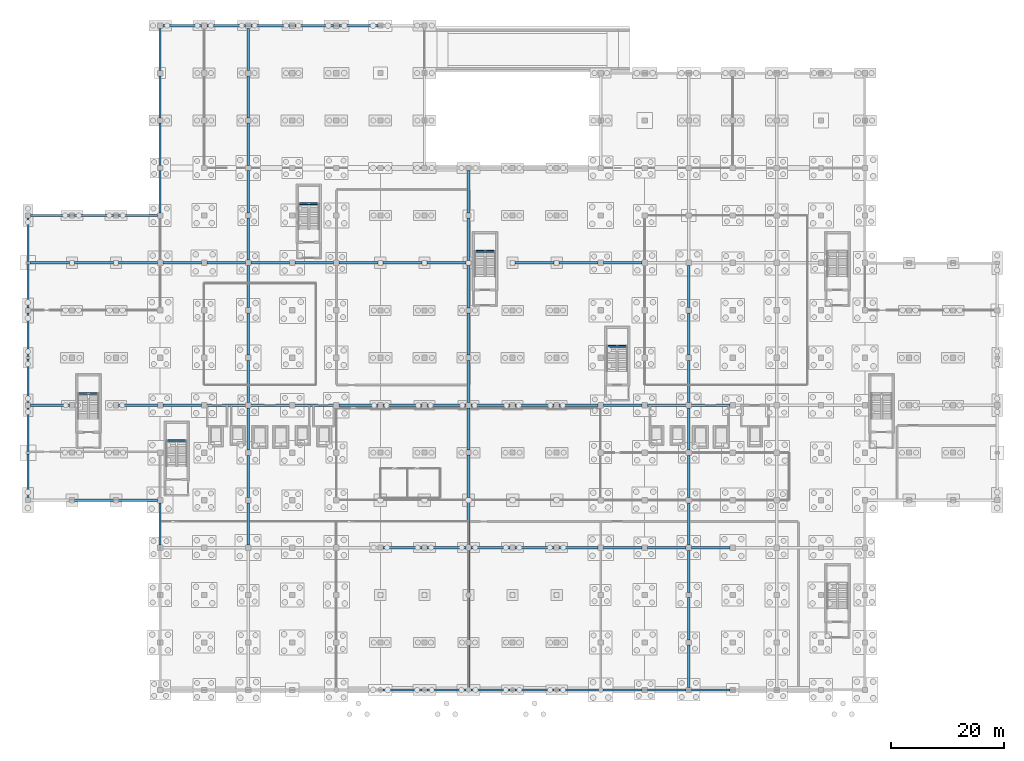
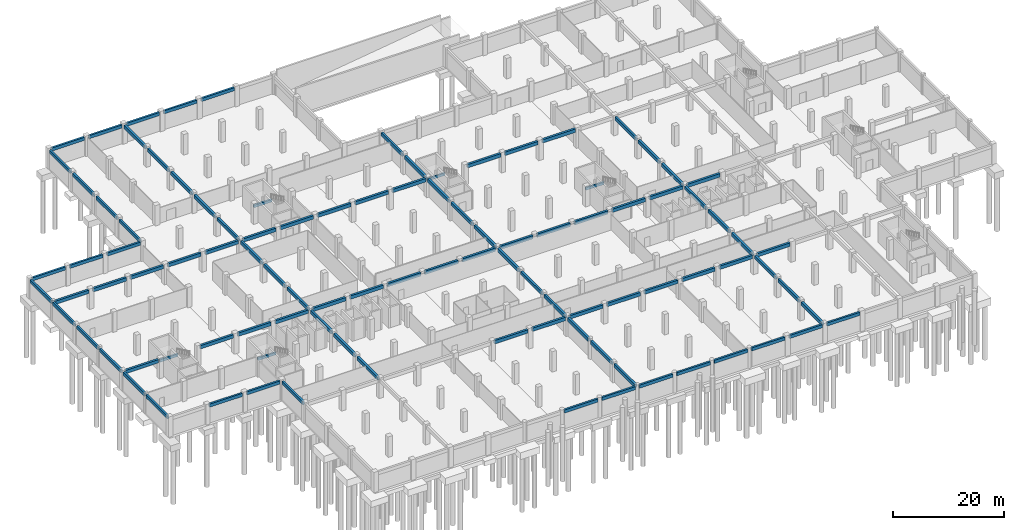
# One storey, part 10 of 30: 101 beams.
"""IFC4 building model written with IfcOpenShell, lengths in metres."""

from ifc_helpers import new_model, si_unit, direction, frame, origin, origin_2d, place, context, subcontext, project, spatial, rectangle, extrude, material, material_profile, profile_set, type_object, element, save


model = new_model("IFC4")

# Units and contexts
model_context = context("Model", 3, precision=1e-05, world=origin(), true_north=direction((0.0, 1.0)))
body_context = subcontext(model_context, "Body", "Model", "MODEL_VIEW")
ifc_project = project(units=[si_unit("LENGTHUNIT", "METRE"), si_unit("AREAUNIT", "SQUARE_METRE"), si_unit("VOLUMEUNIT", "CUBIC_METRE"), si_unit("PLANEANGLEUNIT", "RADIAN"), si_unit("MASSUNIT", "GRAM", prefix="KILO"), si_unit("THERMODYNAMICTEMPERATUREUNIT", "KELVIN"), si_unit("POWERUNIT", "WATT")], contexts=[model_context])

# Site, building, storey
site_placement = place(None, origin())
site = spatial("IfcSite", under=ifc_project, at=site_placement, CompositionType="ELEMENT")
building_placement = place(site_placement, origin())
building = spatial("IfcBuilding", under=site, at=building_placement, Name="Srebrne Nadtorze General Hospital", CompositionType="ELEMENT")
storey_placement = place(building_placement, frame((0.0, 0.0, -4.5)))
storey = spatial("IfcBuildingStorey", under=building, at=storey_placement, Name="B1", CompositionType="ELEMENT", Elevation=-4.5)

# Beams
ifc_material_1 = material(Name="Concrete C40/50", Category="concrete")
ifc_material_profile_1 = material_profile(ifc_material_1, rectangle(XDim=0.39990234375, YDim=0.699951171875, at=origin_2d()), Name="RC-BM-400x700")
ifc_profile_set_1 = profile_set([ifc_material_profile_1], Name="Concrete C40/50")
beam_type_1 = type_object("IfcBeamType", Name="Edge beam RC 400x700", PredefinedType="BEAM", material=ifc_profile_set_1)
for number, where, z_axis, x_axis, name in (
    (1, (62.824951171875, 0.0, 3.800048828125), (1.0, 0.0, 0.0), (0.0, 1.0, 0.0), "Beam BM-B1-X-0006"),
    (2, (70.625, 0.0, 3.800048828125), (1.0, 0.0, 0.0), (0.0, 1.0, 0.0), "Beam BM-B1-X-0007"),
    (3, (78.425048828125, 0.0, 3.800048828125), (1.0, 0.0, 0.0), (0.0, 1.0, 0.0), "Beam BM-B1-X-0008"),
    (4, (86.22509765625, 0.0, 3.800048828125), (1.0, 0.0, 0.0), (0.0, 1.0, 0.0), "Beam BM-B1-X-0009"),
):
    element("IfcBeam", number, at=place(storey_placement, frame(where, z_axis=z_axis, x_axis=x_axis)), inside=storey, type_object=beam_type_1, Name=name, PredefinedType="BEAM", context=body_context, shape_type="SweptSolid", body=[
        extrude(rectangle(XDim=0.39990234375, YDim=0.699951171875, at=origin_2d()), origin(), (0.0, 0.0, 1.0), 6.949951171875),
    ])
beam_1_placement = place(storey_placement, frame((94.02490234375, 0.0, 3.800048828125), z_axis=(1.0, 0.0, 0.0), x_axis=(0.0, 1.0, 0.0)))
element("IfcBeam", 5, at=beam_1_placement, inside=storey, type_object=beam_type_1, Name="Beam BM-B1-X-0010", PredefinedType="BEAM", context=body_context, shape_type="SweptSolid", body=[
    extrude(rectangle(XDim=0.39990234375, YDim=0.699951171875, at=origin_2d()), origin(), (0.0, 0.0, 1.0), 6.9501953125),
])
beam_2_placement = place(storey_placement, frame((101.824951171875, 0.0, 3.800048828125), z_axis=(1.0, 0.0, 0.0), x_axis=(0.0, 1.0, 0.0)))
element("IfcBeam", 6, at=beam_2_placement, inside=storey, type_object=beam_type_1, Name="Beam BM-B1-X-0011", PredefinedType="BEAM", context=body_context, shape_type="SweptSolid", body=[
    extrude(rectangle(XDim=0.39990234375, YDim=0.699951171875, at=origin_2d()), origin(), (0.0, 0.0, 1.0), 6.900146484375),
])
for number, where, z_axis, x_axis, name in (
    (7, (109.675048828125, 0.0, 3.800048828125), (1.0, 0.0, 0.0), (0.0, 1.0, 0.0), "Beam BM-B1-X-0012"),
    (8, (117.47509765625, 0.0, 3.800048828125), (1.0, 0.0, 0.0), (0.0, 1.0, 0.0), "Beam BM-B1-X-0013"),
):
    element("IfcBeam", number, at=place(storey_placement, frame(where, z_axis=z_axis, x_axis=x_axis)), inside=storey, type_object=beam_type_1, Name=name, PredefinedType="BEAM", context=body_context, shape_type="SweptSolid", body=[
        extrude(rectangle(XDim=0.39990234375, YDim=0.699951171875, at=origin_2d()), origin(), (0.0, 0.0, 1.0), 6.849853515625),
    ])
beam_3_placement = place(storey_placement, frame((8.25, 33.60009765625, 3.800048828125), z_axis=(1.0, 0.0, 0.0), x_axis=(0.0, 1.0, 0.0)))
element("IfcBeam", 9, at=beam_3_placement, inside=storey, type_object=beam_type_1, Name="Beam BM-B1-X-0034", PredefinedType="BEAM", context=body_context, shape_type="SweptSolid", body=[
    extrude(rectangle(XDim=0.39990234375, YDim=0.699951171875, at=origin_2d()), origin(), (0.0, 0.0, 1.0), 6.89990234375),
])
beam_4_placement = place(storey_placement, frame((16.050048828125, 33.60009765625, 3.800048828125), z_axis=(1.0, 0.0, 0.0), x_axis=(0.0, 1.0, 0.0)))
element("IfcBeam", 10, at=beam_4_placement, inside=storey, type_object=beam_type_1, Name="Beam BM-B1-X-0035", PredefinedType="BEAM", context=body_context, shape_type="SweptSolid", body=[
    extrude(rectangle(XDim=0.39990234375, YDim=0.699951171875, at=origin_2d()), origin(), (0.0, 0.0, 1.0), 6.875),
])
beam_5_placement = place(storey_placement, frame((0.449951171875, 84.0, 3.800048828125), z_axis=(1.0, 0.0, 0.0), x_axis=(0.0, 1.0, 0.0)))
element("IfcBeam", 11, at=beam_5_placement, inside=storey, type_object=beam_type_1, Name="Beam BM-B1-X-0079", PredefinedType="BEAM", context=body_context, shape_type="SweptSolid", body=[
    extrude(rectangle(XDim=0.39990234375, YDim=0.699951171875, at=origin_2d()), origin(), (0.0, 0.0, 1.0), 6.900146484375),
])
beam_6_placement = place(storey_placement, frame((8.25, 84.0, 3.800048828125), z_axis=(1.0, 0.0, 0.0), x_axis=(0.0, 1.0, 0.0)))
element("IfcBeam", 12, at=beam_6_placement, inside=storey, type_object=beam_type_1, Name="Beam BM-B1-X-0080", PredefinedType="BEAM", context=body_context, shape_type="SweptSolid", body=[
    extrude(rectangle(XDim=0.39990234375, YDim=0.699951171875, at=origin_2d()), origin(), (0.0, 0.0, 1.0), 6.89990234375),
])
beam_7_placement = place(storey_placement, frame((16.050048828125, 84.0, 3.800048828125), z_axis=(1.0, 0.0, 0.0), x_axis=(0.0, 1.0, 0.0)))
element("IfcBeam", 13, at=beam_7_placement, inside=storey, type_object=beam_type_1, Name="Beam BM-B1-X-0081", PredefinedType="BEAM", context=body_context, shape_type="SweptSolid", body=[
    extrude(rectangle(XDim=0.39990234375, YDim=0.699951171875, at=origin_2d()), origin(), (0.0, 0.0, 1.0), 6.875),
])
beam_8_placement = place(storey_placement, frame((23.875, 117.60009765625, 3.800048828125), z_axis=(1.0, 0.0, 0.0), x_axis=(0.0, 1.0, 0.0)))
element("IfcBeam", 14, at=beam_8_placement, inside=storey, type_object=beam_type_1, Name="Beam BM-B1-X-0092", PredefinedType="BEAM", context=body_context, shape_type="SweptSolid", body=[
    extrude(rectangle(XDim=0.39990234375, YDim=0.699951171875, at=origin_2d()), origin(), (0.0, 0.0, 1.0), 6.85009765625),
])
for number, where, z_axis, x_axis, name in (
    (15, (31.675048828125, 117.60009765625, 3.800048828125), (1.0, 0.0, 0.0), (0.0, 1.0, 0.0), "Beam BM-B1-X-0093"),
    (16, (39.47509765625, 117.60009765625, 3.800048828125), (1.0, 0.0, 0.0), (0.0, 1.0, 0.0), "Beam BM-B1-X-0094"),
):
    element("IfcBeam", number, at=place(storey_placement, frame(where, z_axis=z_axis, x_axis=x_axis)), inside=storey, type_object=beam_type_1, Name=name, PredefinedType="BEAM", context=body_context, shape_type="SweptSolid", body=[
        extrude(rectangle(XDim=0.39990234375, YDim=0.699951171875, at=origin_2d()), origin(), (0.0, 0.0, 1.0), 6.849853515625),
    ])
beam_9_placement = place(storey_placement, frame((47.27490234375, 117.60009765625, 3.800048828125), z_axis=(1.0, 0.0, 0.0), x_axis=(0.0, 1.0, 0.0)))
element("IfcBeam", 17, at=beam_9_placement, inside=storey, type_object=beam_type_1, Name="Beam BM-B1-X-0095", PredefinedType="BEAM", context=body_context, shape_type="SweptSolid", body=[
    extrude(rectangle(XDim=0.39990234375, YDim=0.699951171875, at=origin_2d()), origin(), (0.0, 0.0, 1.0), 6.85009765625),
])
beam_10_placement = place(storey_placement, frame((55.074951171875, 117.60009765625, 3.800048828125), z_axis=(1.0, 0.0, 0.0), x_axis=(0.0, 1.0, 0.0)))
element("IfcBeam", 18, at=beam_10_placement, inside=storey, type_object=beam_type_1, Name="Beam BM-B1-X-0096", PredefinedType="BEAM", context=body_context, shape_type="SweptSolid", body=[
    extrude(rectangle(XDim=0.39990234375, YDim=0.699951171875, at=origin_2d()), origin(), (0.0, 0.0, 1.0), 6.875),
])
for number, where, z_axis, x_axis, name in (
    (19, (0.0, 34.050048828125, 3.800048828125), (0.0, 1.0, 0.0), (-1.0, 0.0, 0.0), "Beam BM-B1-Y-0098"),
    (20, (0.0, 42.25, 3.800048828125), (0.0, 1.0, 0.0), (-1.0, 0.0, 0.0), "Beam BM-B1-Y-0099"),
    (21, (0.0, 50.85009765625, 3.800048828125), (0.0, 1.0, 0.0), (-1.0, 0.0, 0.0), "Beam BM-B1-Y-0100"),
    (22, (0.0, 59.050048828125, 3.800048828125), (0.0, 1.0, 0.0), (-1.0, 0.0, 0.0), "Beam BM-B1-Y-0101"),
):
    element("IfcBeam", number, at=place(storey_placement, frame(where, z_axis=z_axis, x_axis=x_axis)), inside=storey, type_object=beam_type_1, Name=name, PredefinedType="BEAM", context=body_context, shape_type="SweptSolid", body=[
        extrude(rectangle(XDim=0.39990234375, YDim=0.699951171875, at=origin_2d()), origin(), (0.0, 0.0, 1.0), 7.699951171875),
    ])
beam_11_placement = place(storey_placement, frame((0.0, 67.64990234375, 3.800048828125), z_axis=(0.0, 1.0, 0.0), x_axis=(-1.0, 0.0, 0.0)))
element("IfcBeam", 23, at=beam_11_placement, inside=storey, type_object=beam_type_1, Name="Beam BM-B1-Y-0102", PredefinedType="BEAM", context=body_context, shape_type="SweptSolid", body=[
    extrude(rectangle(XDim=0.39990234375, YDim=0.699951171875, at=origin_2d()), origin(), (0.0, 0.0, 1.0), 7.7001953125),
])
beam_12_placement = place(storey_placement, frame((0.0, 75.85009765625, 3.800048828125), z_axis=(0.0, 1.0, 0.0), x_axis=(-1.0, 0.0, 0.0)))
element("IfcBeam", 24, at=beam_12_placement, inside=storey, type_object=beam_type_1, Name="Beam BM-B1-Y-0103", PredefinedType="BEAM", context=body_context, shape_type="SweptSolid", body=[
    extrude(rectangle(XDim=0.39990234375, YDim=0.699951171875, at=origin_2d()), origin(), (0.0, 0.0, 1.0), 7.699951171875),
])
for number, where, z_axis, x_axis, name in (
    (25, (23.39990234375, 25.675048828125, 3.800048828125), (0.0, 1.0, 0.0), (-1.0, 0.0, 0.0), "Beam BM-B1-Y-0107"),
    (26, (23.39990234375, 84.47509765625, 3.800048828125), (0.0, 1.0, 0.0), (-1.0, 0.0, 0.0), "Beam BM-B1-Y-0108"),
    (27, (23.39990234375, 92.875, 3.800048828125), (0.0, 1.0, 0.0), (-1.0, 0.0, 0.0), "Beam BM-B1-Y-0109"),
):
    element("IfcBeam", number, at=place(storey_placement, frame(where, z_axis=z_axis, x_axis=x_axis)), inside=storey, type_object=beam_type_1, Name=name, PredefinedType="BEAM", context=body_context, shape_type="SweptSolid", body=[
        extrude(rectangle(XDim=0.39990234375, YDim=0.699951171875, at=origin_2d()), origin(), (0.0, 0.0, 1.0), 7.449951171875),
    ])
beam_13_placement = place(storey_placement, frame((23.39990234375, 101.27490234375, 3.800048828125), z_axis=(0.0, 1.0, 0.0), x_axis=(-1.0, 0.0, 0.0)))
element("IfcBeam", 28, at=beam_13_placement, inside=storey, type_object=beam_type_1, Name="Beam BM-B1-Y-0110", PredefinedType="BEAM", context=body_context, shape_type="SweptSolid", body=[
    extrude(rectangle(XDim=0.39990234375, YDim=0.699951171875, at=origin_2d()), origin(), (0.0, 0.0, 1.0), 7.4501953125),
])
beam_14_placement = place(storey_placement, frame((23.39990234375, 109.675048828125, 3.800048828125), z_axis=(0.0, 1.0, 0.0), x_axis=(-1.0, 0.0, 0.0)))
element("IfcBeam", 29, at=beam_14_placement, inside=storey, type_object=beam_type_1, Name="Beam BM-B1-Y-0111", PredefinedType="BEAM", context=body_context, shape_type="SweptSolid", body=[
    extrude(rectangle(XDim=0.39990234375, YDim=0.699951171875, at=origin_2d()), origin(), (0.0, 0.0, 1.0), 7.449951171875),
])
ifc_material_2 = material(Name="Concrete C40/50", Category="concrete")
ifc_material_profile_2 = material_profile(ifc_material_2, rectangle(XDim=0.449951171875, YDim=0.75, at=origin_2d()), Name="RC-BM-450x750")
ifc_profile_set_2 = profile_set([ifc_material_profile_2], Name="Concrete C40/50")
beam_type_2 = type_object("IfcBeamType", Name="Primary beam RC 450x750", PredefinedType="BEAM", material=ifc_profile_set_2)
beam_15_placement = place(storey_placement, frame((62.85009765625, 25.199951171875, 3.77490234375), z_axis=(1.0, 0.0, 0.0), x_axis=(0.0, 1.0, 0.0)))
element("IfcBeam", 30, at=beam_15_placement, inside=storey, type_object=beam_type_2, Name="Beam BM-B1-X-0022", PredefinedType="BEAM", context=body_context, shape_type="SweptSolid", body=[
    extrude(rectangle(XDim=0.449951171875, YDim=0.75, at=origin_2d()), origin(), (0.0, 0.0, 1.0), 6.89990234375),
])
for number, where, z_axis, x_axis, name in (
    (31, (70.64990234375, 25.199951171875, 3.77490234375), (1.0, 0.0, 0.0), (0.0, 1.0, 0.0), "Beam BM-B1-X-0023"),
    (32, (78.449951171875, 25.199951171875, 3.77490234375), (1.0, 0.0, 0.0), (0.0, 1.0, 0.0), "Beam BM-B1-X-0024"),
):
    element("IfcBeam", number, at=place(storey_placement, frame(where, z_axis=z_axis, x_axis=x_axis)), inside=storey, type_object=beam_type_2, Name=name, PredefinedType="BEAM", context=body_context, shape_type="SweptSolid", body=[
        extrude(rectangle(XDim=0.449951171875, YDim=0.75, at=origin_2d()), origin(), (0.0, 0.0, 1.0), 6.900146484375),
    ])
beam_16_placement = place(storey_placement, frame((86.25, 25.199951171875, 3.77490234375), z_axis=(1.0, 0.0, 0.0), x_axis=(0.0, 1.0, 0.0)))
element("IfcBeam", 33, at=beam_16_placement, inside=storey, type_object=beam_type_2, Name="Beam BM-B1-X-0025", PredefinedType="BEAM", context=body_context, shape_type="SweptSolid", body=[
    extrude(rectangle(XDim=0.449951171875, YDim=0.75, at=origin_2d()), origin(), (0.0, 0.0, 1.0), 6.89990234375),
])
beam_17_placement = place(storey_placement, frame((94.050048828125, 25.199951171875, 3.77490234375), z_axis=(1.0, 0.0, 0.0), x_axis=(0.0, 1.0, 0.0)))
element("IfcBeam", 34, at=beam_17_placement, inside=storey, type_object=beam_type_2, Name="Beam BM-B1-X-0026", PredefinedType="BEAM", context=body_context, shape_type="SweptSolid", body=[
    extrude(rectangle(XDim=0.449951171875, YDim=0.75, at=origin_2d()), origin(), (0.0, 0.0, 1.0), 6.875),
])
beam_18_placement = place(storey_placement, frame((101.875, 25.199951171875, 3.77490234375), z_axis=(1.0, 0.0, 0.0), x_axis=(0.0, 1.0, 0.0)))
element("IfcBeam", 35, at=beam_18_placement, inside=storey, type_object=beam_type_2, Name="Beam BM-B1-X-0027", PredefinedType="BEAM", context=body_context, shape_type="SweptSolid", body=[
    extrude(rectangle(XDim=0.449951171875, YDim=0.75, at=origin_2d()), origin(), (0.0, 0.0, 1.0), 6.85009765625),
])
for number, where, z_axis, x_axis, name in (
    (36, (109.675048828125, 25.199951171875, 3.77490234375), (1.0, 0.0, 0.0), (0.0, 1.0, 0.0), "Beam BM-B1-X-0028"),
    (37, (117.47509765625, 25.199951171875, 3.77490234375), (1.0, 0.0, 0.0), (0.0, 1.0, 0.0), "Beam BM-B1-X-0029"),
):
    element("IfcBeam", number, at=place(storey_placement, frame(where, z_axis=z_axis, x_axis=x_axis)), inside=storey, type_object=beam_type_2, Name=name, PredefinedType="BEAM", context=body_context, shape_type="SweptSolid", body=[
        extrude(rectangle(XDim=0.449951171875, YDim=0.75, at=origin_2d()), origin(), (0.0, 0.0, 1.0), 6.849853515625),
    ])
beam_19_placement = place(storey_placement, frame((0.449951171875, 50.39990234375, 3.77490234375), z_axis=(1.0, 0.0, 0.0), x_axis=(0.0, 1.0, 0.0)))
element("IfcBeam", 38, at=beam_19_placement, inside=storey, type_object=beam_type_2, Name="Beam BM-B1-X-0039", PredefinedType="BEAM", context=body_context, shape_type="SweptSolid", body=[
    extrude(rectangle(XDim=0.449951171875, YDim=0.75, at=origin_2d()), origin(), (0.0, 0.0, 1.0), 6.900146484375),
])
beam_20_placement = place(storey_placement, frame((16.050048828125, 50.39990234375, 3.77490234375), z_axis=(1.0, 0.0, 0.0), x_axis=(0.0, 1.0, 0.0)))
element("IfcBeam", 39, at=beam_20_placement, inside=storey, type_object=beam_type_2, Name="Beam BM-B1-X-0040", PredefinedType="BEAM", context=body_context, shape_type="SweptSolid", body=[
    extrude(rectangle(XDim=0.449951171875, YDim=0.75, at=origin_2d()), origin(), (0.0, 0.0, 1.0), 6.875),
])
beam_21_placement = place(storey_placement, frame((23.875, 50.39990234375, 3.77490234375), z_axis=(1.0, 0.0, 0.0), x_axis=(0.0, 1.0, 0.0)))
element("IfcBeam", 40, at=beam_21_placement, inside=storey, type_object=beam_type_2, Name="Beam BM-B1-X-0041", PredefinedType="BEAM", context=body_context, shape_type="SweptSolid", body=[
    extrude(rectangle(XDim=0.449951171875, YDim=0.75, at=origin_2d()), origin(), (0.0, 0.0, 1.0), 6.85009765625),
])
for number, where, z_axis, x_axis, name in (
    (41, (31.675048828125, 50.39990234375, 3.77490234375), (1.0, 0.0, 0.0), (0.0, 1.0, 0.0), "Beam BM-B1-X-0042"),
    (42, (39.47509765625, 50.39990234375, 3.77490234375), (1.0, 0.0, 0.0), (0.0, 1.0, 0.0), "Beam BM-B1-X-0043"),
):
    element("IfcBeam", number, at=place(storey_placement, frame(where, z_axis=z_axis, x_axis=x_axis)), inside=storey, type_object=beam_type_2, Name=name, PredefinedType="BEAM", context=body_context, shape_type="SweptSolid", body=[
        extrude(rectangle(XDim=0.449951171875, YDim=0.75, at=origin_2d()), origin(), (0.0, 0.0, 1.0), 6.849853515625),
    ])
beam_22_placement = place(storey_placement, frame((47.27490234375, 50.39990234375, 3.77490234375), z_axis=(1.0, 0.0, 0.0), x_axis=(0.0, 1.0, 0.0)))
element("IfcBeam", 43, at=beam_22_placement, inside=storey, type_object=beam_type_2, Name="Beam BM-B1-X-0044", PredefinedType="BEAM", context=body_context, shape_type="SweptSolid", body=[
    extrude(rectangle(XDim=0.449951171875, YDim=0.75, at=origin_2d()), origin(), (0.0, 0.0, 1.0), 6.85009765625),
])
beam_23_placement = place(storey_placement, frame((55.074951171875, 50.39990234375, 3.77490234375), z_axis=(1.0, 0.0, 0.0), x_axis=(0.0, 1.0, 0.0)))
element("IfcBeam", 44, at=beam_23_placement, inside=storey, type_object=beam_type_2, Name="Beam BM-B1-X-0045", PredefinedType="BEAM", context=body_context, shape_type="SweptSolid", body=[
    extrude(rectangle(XDim=0.449951171875, YDim=0.75, at=origin_2d()), origin(), (0.0, 0.0, 1.0), 6.875),
])
beam_24_placement = place(storey_placement, frame((62.85009765625, 50.39990234375, 3.77490234375), z_axis=(1.0, 0.0, 0.0), x_axis=(0.0, 1.0, 0.0)))
element("IfcBeam", 45, at=beam_24_placement, inside=storey, type_object=beam_type_2, Name="Beam BM-B1-X-0046", PredefinedType="BEAM", context=body_context, shape_type="SweptSolid", body=[
    extrude(rectangle(XDim=0.449951171875, YDim=0.75, at=origin_2d()), origin(), (0.0, 0.0, 1.0), 6.89990234375),
])
for number, where, z_axis, x_axis, name in (
    (46, (70.64990234375, 50.39990234375, 3.77490234375), (1.0, 0.0, 0.0), (0.0, 1.0, 0.0), "Beam BM-B1-X-0047"),
    (47, (78.449951171875, 50.39990234375, 3.77490234375), (1.0, 0.0, 0.0), (0.0, 1.0, 0.0), "Beam BM-B1-X-0048"),
):
    element("IfcBeam", number, at=place(storey_placement, frame(where, z_axis=z_axis, x_axis=x_axis)), inside=storey, type_object=beam_type_2, Name=name, PredefinedType="BEAM", context=body_context, shape_type="SweptSolid", body=[
        extrude(rectangle(XDim=0.449951171875, YDim=0.75, at=origin_2d()), origin(), (0.0, 0.0, 1.0), 6.900146484375),
    ])
beam_25_placement = place(storey_placement, frame((86.25, 50.39990234375, 3.77490234375), z_axis=(1.0, 0.0, 0.0), x_axis=(0.0, 1.0, 0.0)))
element("IfcBeam", 48, at=beam_25_placement, inside=storey, type_object=beam_type_2, Name="Beam BM-B1-X-0049", PredefinedType="BEAM", context=body_context, shape_type="SweptSolid", body=[
    extrude(rectangle(XDim=0.449951171875, YDim=0.75, at=origin_2d()), origin(), (0.0, 0.0, 1.0), 6.89990234375),
])
beam_26_placement = place(storey_placement, frame((94.050048828125, 50.39990234375, 3.77490234375), z_axis=(1.0, 0.0, 0.0), x_axis=(0.0, 1.0, 0.0)))
element("IfcBeam", 49, at=beam_26_placement, inside=storey, type_object=beam_type_2, Name="Beam BM-B1-X-0050", PredefinedType="BEAM", context=body_context, shape_type="SweptSolid", body=[
    extrude(rectangle(XDim=0.449951171875, YDim=0.75, at=origin_2d()), origin(), (0.0, 0.0, 1.0), 6.875),
])
beam_27_placement = place(storey_placement, frame((101.875, 50.39990234375, 3.77490234375), z_axis=(1.0, 0.0, 0.0), x_axis=(0.0, 1.0, 0.0)))
element("IfcBeam", 50, at=beam_27_placement, inside=storey, type_object=beam_type_2, Name="Beam BM-B1-X-0051", PredefinedType="BEAM", context=body_context, shape_type="SweptSolid", body=[
    extrude(rectangle(XDim=0.449951171875, YDim=0.75, at=origin_2d()), origin(), (0.0, 0.0, 1.0), 6.85009765625),
])
for number, where, z_axis, x_axis, name in (
    (51, (109.675048828125, 50.39990234375, 3.77490234375), (1.0, 0.0, 0.0), (0.0, 1.0, 0.0), "Beam BM-B1-X-0052"),
    (52, (117.47509765625, 50.39990234375, 3.77490234375), (1.0, 0.0, 0.0), (0.0, 1.0, 0.0), "Beam BM-B1-X-0053"),
):
    element("IfcBeam", number, at=place(storey_placement, frame(where, z_axis=z_axis, x_axis=x_axis)), inside=storey, type_object=beam_type_2, Name=name, PredefinedType="BEAM", context=body_context, shape_type="SweptSolid", body=[
        extrude(rectangle(XDim=0.449951171875, YDim=0.75, at=origin_2d()), origin(), (0.0, 0.0, 1.0), 6.849853515625),
    ])
beam_28_placement = place(storey_placement, frame((0.375, 75.60009765625, 3.77490234375), z_axis=(1.0, 0.0, 0.0), x_axis=(0.0, 1.0, 0.0)))
element("IfcBeam", 53, at=beam_28_placement, inside=storey, type_object=beam_type_2, Name="Beam BM-B1-X-0059", PredefinedType="BEAM", context=body_context, shape_type="SweptSolid", body=[
    extrude(rectangle(XDim=0.449951171875, YDim=0.75, at=origin_2d()), origin(), (0.0, 0.0, 1.0), 6.97509765625),
])
beam_29_placement = place(storey_placement, frame((8.25, 75.60009765625, 3.77490234375), z_axis=(1.0, 0.0, 0.0), x_axis=(0.0, 1.0, 0.0)))
element("IfcBeam", 54, at=beam_29_placement, inside=storey, type_object=beam_type_2, Name="Beam BM-B1-X-0060", PredefinedType="BEAM", context=body_context, shape_type="SweptSolid", body=[
    extrude(rectangle(XDim=0.449951171875, YDim=0.75, at=origin_2d()), origin(), (0.0, 0.0, 1.0), 6.89990234375),
])
beam_30_placement = place(storey_placement, frame((16.050048828125, 75.60009765625, 3.77490234375), z_axis=(1.0, 0.0, 0.0), x_axis=(0.0, 1.0, 0.0)))
element("IfcBeam", 55, at=beam_30_placement, inside=storey, type_object=beam_type_2, Name="Beam BM-B1-X-0061", PredefinedType="BEAM", context=body_context, shape_type="SweptSolid", body=[
    extrude(rectangle(XDim=0.449951171875, YDim=0.75, at=origin_2d()), origin(), (0.0, 0.0, 1.0), 6.875),
])
beam_31_placement = place(storey_placement, frame((23.875, 75.60009765625, 3.77490234375), z_axis=(1.0, 0.0, 0.0), x_axis=(0.0, 1.0, 0.0)))
element("IfcBeam", 56, at=beam_31_placement, inside=storey, type_object=beam_type_2, Name="Beam BM-B1-X-0062", PredefinedType="BEAM", context=body_context, shape_type="SweptSolid", body=[
    extrude(rectangle(XDim=0.449951171875, YDim=0.75, at=origin_2d()), origin(), (0.0, 0.0, 1.0), 6.85009765625),
])
for number, where, z_axis, x_axis, name in (
    (57, (31.675048828125, 75.60009765625, 3.77490234375), (1.0, 0.0, 0.0), (0.0, 1.0, 0.0), "Beam BM-B1-X-0063"),
    (58, (39.47509765625, 75.60009765625, 3.77490234375), (1.0, 0.0, 0.0), (0.0, 1.0, 0.0), "Beam BM-B1-X-0064"),
):
    element("IfcBeam", number, at=place(storey_placement, frame(where, z_axis=z_axis, x_axis=x_axis)), inside=storey, type_object=beam_type_2, Name=name, PredefinedType="BEAM", context=body_context, shape_type="SweptSolid", body=[
        extrude(rectangle(XDim=0.449951171875, YDim=0.75, at=origin_2d()), origin(), (0.0, 0.0, 1.0), 6.849853515625),
    ])
beam_32_placement = place(storey_placement, frame((47.27490234375, 75.60009765625, 3.77490234375), z_axis=(1.0, 0.0, 0.0), x_axis=(0.0, 1.0, 0.0)))
element("IfcBeam", 59, at=beam_32_placement, inside=storey, type_object=beam_type_2, Name="Beam BM-B1-X-0065", PredefinedType="BEAM", context=body_context, shape_type="SweptSolid", body=[
    extrude(rectangle(XDim=0.449951171875, YDim=0.75, at=origin_2d()), origin(), (0.0, 0.0, 1.0), 6.85009765625),
])
beam_33_placement = place(storey_placement, frame((55.074951171875, 75.60009765625, 3.77490234375), z_axis=(1.0, 0.0, 0.0), x_axis=(0.0, 1.0, 0.0)))
element("IfcBeam", 60, at=beam_33_placement, inside=storey, type_object=beam_type_2, Name="Beam BM-B1-X-0066", PredefinedType="BEAM", context=body_context, shape_type="SweptSolid", body=[
    extrude(rectangle(XDim=0.449951171875, YDim=0.75, at=origin_2d()), origin(), (0.0, 0.0, 1.0), 6.875),
])
beam_34_placement = place(storey_placement, frame((62.85009765625, 75.60009765625, 3.77490234375), z_axis=(1.0, 0.0, 0.0), x_axis=(0.0, 1.0, 0.0)))
element("IfcBeam", 61, at=beam_34_placement, inside=storey, type_object=beam_type_2, Name="Beam BM-B1-X-0067", PredefinedType="BEAM", context=body_context, shape_type="SweptSolid", body=[
    extrude(rectangle(XDim=0.449951171875, YDim=0.75, at=origin_2d()), origin(), (0.0, 0.0, 1.0), 6.89990234375),
])
beam_35_placement = place(storey_placement, frame((70.64990234375, 75.60009765625, 3.77490234375), z_axis=(1.0, 0.0, 0.0), x_axis=(0.0, 1.0, 0.0)))
element("IfcBeam", 62, at=beam_35_placement, inside=storey, type_object=beam_type_2, Name="Beam BM-B1-X-0068", PredefinedType="BEAM", context=body_context, shape_type="SweptSolid", body=[
    extrude(rectangle(XDim=0.449951171875, YDim=0.75, at=origin_2d()), origin(), (0.0, 0.0, 1.0), 6.900146484375),
])
beam_36_placement = place(storey_placement, frame((86.25, 75.60009765625, 3.77490234375), z_axis=(1.0, 0.0, 0.0), x_axis=(0.0, 1.0, 0.0)))
element("IfcBeam", 63, at=beam_36_placement, inside=storey, type_object=beam_type_2, Name="Beam BM-B1-X-0069", PredefinedType="BEAM", context=body_context, shape_type="SweptSolid", body=[
    extrude(rectangle(XDim=0.449951171875, YDim=0.75, at=origin_2d()), origin(), (0.0, 0.0, 1.0), 6.89990234375),
])
beam_37_placement = place(storey_placement, frame((94.050048828125, 75.60009765625, 3.77490234375), z_axis=(1.0, 0.0, 0.0), x_axis=(0.0, 1.0, 0.0)))
element("IfcBeam", 64, at=beam_37_placement, inside=storey, type_object=beam_type_2, Name="Beam BM-B1-X-0070", PredefinedType="BEAM", context=body_context, shape_type="SweptSolid", body=[
    extrude(rectangle(XDim=0.449951171875, YDim=0.75, at=origin_2d()), origin(), (0.0, 0.0, 1.0), 6.875),
])
beam_38_placement = place(storey_placement, frame((101.875, 75.60009765625, 3.77490234375), z_axis=(1.0, 0.0, 0.0), x_axis=(0.0, 1.0, 0.0)))
element("IfcBeam", 65, at=beam_38_placement, inside=storey, type_object=beam_type_2, Name="Beam BM-B1-X-0071", PredefinedType="BEAM", context=body_context, shape_type="SweptSolid", body=[
    extrude(rectangle(XDim=0.449951171875, YDim=0.75, at=origin_2d()), origin(), (0.0, 0.0, 1.0), 6.85009765625),
])
for number, where, z_axis, x_axis, name in (
    (66, (39.0, 25.675048828125, 3.77490234375), (0.0, 1.0, 0.0), (-1.0, 0.0, 0.0), "Beam BM-B1-Y-0115"),
    (67, (39.0, 34.074951171875, 3.77490234375), (0.0, 1.0, 0.0), (-1.0, 0.0, 0.0), "Beam BM-B1-Y-0116"),
    (68, (39.0, 42.47509765625, 3.77490234375), (0.0, 1.0, 0.0), (-1.0, 0.0, 0.0), "Beam BM-B1-Y-0117"),
    (69, (39.0, 50.875, 3.77490234375), (0.0, 1.0, 0.0), (-1.0, 0.0, 0.0), "Beam BM-B1-Y-0118"),
):
    element("IfcBeam", number, at=place(storey_placement, frame(where, z_axis=z_axis, x_axis=x_axis)), inside=storey, type_object=beam_type_2, Name=name, PredefinedType="BEAM", context=body_context, shape_type="SweptSolid", body=[
        extrude(rectangle(XDim=0.449951171875, YDim=0.75, at=origin_2d()), origin(), (0.0, 0.0, 1.0), 7.449951171875),
    ])
beam_39_placement = place(storey_placement, frame((39.0, 59.27490234375, 3.77490234375), z_axis=(0.0, 1.0, 0.0), x_axis=(-1.0, 0.0, 0.0)))
element("IfcBeam", 70, at=beam_39_placement, inside=storey, type_object=beam_type_2, Name="Beam BM-B1-Y-0119", PredefinedType="BEAM", context=body_context, shape_type="SweptSolid", body=[
    extrude(rectangle(XDim=0.449951171875, YDim=0.75, at=origin_2d()), origin(), (0.0, 0.0, 1.0), 7.4501953125),
])
for number, where, z_axis, x_axis, name in (
    (71, (39.0, 67.675048828125, 3.77490234375), (0.0, 1.0, 0.0), (-1.0, 0.0, 0.0), "Beam BM-B1-Y-0120"),
    (72, (39.0, 76.074951171875, 3.77490234375), (0.0, 1.0, 0.0), (-1.0, 0.0, 0.0), "Beam BM-B1-Y-0121"),
    (73, (39.0, 84.47509765625, 3.77490234375), (0.0, 1.0, 0.0), (-1.0, 0.0, 0.0), "Beam BM-B1-Y-0122"),
    (74, (39.0, 92.875, 3.77490234375), (0.0, 1.0, 0.0), (-1.0, 0.0, 0.0), "Beam BM-B1-Y-0123"),
):
    element("IfcBeam", number, at=place(storey_placement, frame(where, z_axis=z_axis, x_axis=x_axis)), inside=storey, type_object=beam_type_2, Name=name, PredefinedType="BEAM", context=body_context, shape_type="SweptSolid", body=[
        extrude(rectangle(XDim=0.449951171875, YDim=0.75, at=origin_2d()), origin(), (0.0, 0.0, 1.0), 7.449951171875),
    ])
beam_40_placement = place(storey_placement, frame((39.0, 101.27490234375, 3.77490234375), z_axis=(0.0, 1.0, 0.0), x_axis=(-1.0, 0.0, 0.0)))
element("IfcBeam", 75, at=beam_40_placement, inside=storey, type_object=beam_type_2, Name="Beam BM-B1-Y-0124", PredefinedType="BEAM", context=body_context, shape_type="SweptSolid", body=[
    extrude(rectangle(XDim=0.449951171875, YDim=0.75, at=origin_2d()), origin(), (0.0, 0.0, 1.0), 7.4501953125),
])
beam_41_placement = place(storey_placement, frame((39.0, 109.675048828125, 3.77490234375), z_axis=(0.0, 1.0, 0.0), x_axis=(-1.0, 0.0, 0.0)))
element("IfcBeam", 76, at=beam_41_placement, inside=storey, type_object=beam_type_2, Name="Beam BM-B1-Y-0125", PredefinedType="BEAM", context=body_context, shape_type="SweptSolid", body=[
    extrude(rectangle(XDim=0.449951171875, YDim=0.75, at=origin_2d()), origin(), (0.0, 0.0, 1.0), 7.449951171875),
])
for number, where, z_axis, x_axis, name in (
    (77, (78.0, 0.425048828125, 3.77490234375), (0.0, 1.0, 0.0), (-1.0, 0.0, 0.0), "Beam BM-B1-Y-0129"),
    (78, (78.0, 8.85009765625, 3.77490234375), (0.0, 1.0, 0.0), (-1.0, 0.0, 0.0), "Beam BM-B1-Y-0130"),
    (79, (78.0, 17.22509765625, 3.77490234375), (0.0, 1.0, 0.0), (-1.0, 0.0, 0.0), "Beam BM-B1-Y-0131"),
):
    element("IfcBeam", number, at=place(storey_placement, frame(where, z_axis=z_axis, x_axis=x_axis)), inside=storey, type_object=beam_type_2, Name=name, PredefinedType="BEAM", context=body_context, shape_type="SweptSolid", body=[
        extrude(rectangle(XDim=0.449951171875, YDim=0.75, at=origin_2d()), origin(), (0.0, 0.0, 1.0), 7.52490234375),
    ])
for number, where, z_axis, x_axis, name in (
    (80, (78.0, 25.64990234375, 3.77490234375), (0.0, 1.0, 0.0), (-1.0, 0.0, 0.0), "Beam BM-B1-Y-0132"),
    (81, (78.0, 34.050048828125, 3.77490234375), (0.0, 1.0, 0.0), (-1.0, 0.0, 0.0), "Beam BM-B1-Y-0133"),
    (82, (78.0, 42.449951171875, 3.77490234375), (0.0, 1.0, 0.0), (-1.0, 0.0, 0.0), "Beam BM-B1-Y-0134"),
    (83, (78.0, 50.85009765625, 3.77490234375), (0.0, 1.0, 0.0), (-1.0, 0.0, 0.0), "Beam BM-B1-Y-0135"),
    (84, (78.0, 59.25, 3.77490234375), (0.0, 1.0, 0.0), (-1.0, 0.0, 0.0), "Beam BM-B1-Y-0136"),
    (85, (78.0, 67.64990234375, 3.77490234375), (0.0, 1.0, 0.0), (-1.0, 0.0, 0.0), "Beam BM-B1-Y-0137"),
    (86, (78.0, 76.050048828125, 3.77490234375), (0.0, 1.0, 0.0), (-1.0, 0.0, 0.0), "Beam BM-B1-Y-0138"),
    (87, (78.0, 84.449951171875, 3.77490234375), (0.0, 1.0, 0.0), (-1.0, 0.0, 0.0), "Beam BM-B1-Y-0139"),
):
    element("IfcBeam", number, at=place(storey_placement, frame(where, z_axis=z_axis, x_axis=x_axis)), inside=storey, type_object=beam_type_2, Name=name, PredefinedType="BEAM", context=body_context, shape_type="SweptSolid", body=[
        extrude(rectangle(XDim=0.449951171875, YDim=0.75, at=origin_2d()), origin(), (0.0, 0.0, 1.0), 7.5),
    ])
for number, where, z_axis, x_axis, name in (
    (88, (117.0, 0.47509765625, 3.77490234375), (0.0, 1.0, 0.0), (-1.0, 0.0, 0.0), "Beam BM-B1-Y-0142"),
    (89, (117.0, 8.875, 3.77490234375), (0.0, 1.0, 0.0), (-1.0, 0.0, 0.0), "Beam BM-B1-Y-0143"),
):
    element("IfcBeam", number, at=place(storey_placement, frame(where, z_axis=z_axis, x_axis=x_axis)), inside=storey, type_object=beam_type_2, Name=name, PredefinedType="BEAM", context=body_context, shape_type="SweptSolid", body=[
        extrude(rectangle(XDim=0.449951171875, YDim=0.75, at=origin_2d()), origin(), (0.0, 0.0, 1.0), 7.449951171875),
    ])
beam_42_placement = place(storey_placement, frame((117.0, 17.27490234375, 3.77490234375), z_axis=(0.0, 1.0, 0.0), x_axis=(-1.0, 0.0, 0.0)))
element("IfcBeam", 90, at=beam_42_placement, inside=storey, type_object=beam_type_2, Name="Beam BM-B1-Y-0144", PredefinedType="BEAM", context=body_context, shape_type="SweptSolid", body=[
    extrude(rectangle(XDim=0.449951171875, YDim=0.75, at=origin_2d()), origin(), (0.0, 0.0, 1.0), 7.4501953125),
])
for number, where, z_axis, x_axis, name in (
    (91, (117.0, 25.675048828125, 3.77490234375), (0.0, 1.0, 0.0), (-1.0, 0.0, 0.0), "Beam BM-B1-Y-0145"),
    (92, (117.0, 34.074951171875, 3.77490234375), (0.0, 1.0, 0.0), (-1.0, 0.0, 0.0), "Beam BM-B1-Y-0146"),
    (93, (117.0, 42.47509765625, 3.77490234375), (0.0, 1.0, 0.0), (-1.0, 0.0, 0.0), "Beam BM-B1-Y-0147"),
    (94, (117.0, 50.875, 3.77490234375), (0.0, 1.0, 0.0), (-1.0, 0.0, 0.0), "Beam BM-B1-Y-0148"),
):
    element("IfcBeam", number, at=place(storey_placement, frame(where, z_axis=z_axis, x_axis=x_axis)), inside=storey, type_object=beam_type_2, Name=name, PredefinedType="BEAM", context=body_context, shape_type="SweptSolid", body=[
        extrude(rectangle(XDim=0.449951171875, YDim=0.75, at=origin_2d()), origin(), (0.0, 0.0, 1.0), 7.449951171875),
    ])
beam_43_placement = place(storey_placement, frame((117.0, 59.27490234375, 3.77490234375), z_axis=(0.0, 1.0, 0.0), x_axis=(-1.0, 0.0, 0.0)))
element("IfcBeam", 95, at=beam_43_placement, inside=storey, type_object=beam_type_2, Name="Beam BM-B1-Y-0149", PredefinedType="BEAM", context=body_context, shape_type="SweptSolid", body=[
    extrude(rectangle(XDim=0.449951171875, YDim=0.75, at=origin_2d()), origin(), (0.0, 0.0, 1.0), 7.4501953125),
])
beam_44_placement = place(storey_placement, frame((117.0, 67.675048828125, 3.77490234375), z_axis=(0.0, 1.0, 0.0), x_axis=(-1.0, 0.0, 0.0)))
element("IfcBeam", 96, at=beam_44_placement, inside=storey, type_object=beam_type_2, Name="Beam BM-B1-Y-0150", PredefinedType="BEAM", context=body_context, shape_type="SweptSolid", body=[
    extrude(rectangle(XDim=0.449951171875, YDim=0.75, at=origin_2d()), origin(), (0.0, 0.0, 1.0), 7.449951171875),
])
ifc_material_3 = material(Name="Concrete C35/45", Category="concrete")
ifc_material_profile_3 = material_profile(ifc_material_3, rectangle(XDim=0.35009765625, YDim=0.550048828125, at=origin_2d()), Name="RC-BM-350x550")
ifc_profile_set_3 = profile_set([ifc_material_profile_3], Name="Concrete C35/45")
beam_type_3 = type_object("IfcBeamType", Name="Spandrel lintel beam RC 350x550", PredefinedType="LINTEL", material=ifc_profile_set_3)
for number, where, z_axis, x_axis, name in (
    (97, (24.449951171875, 44.080078125, 1.97509765625), (1.0, 0.0, 0.0), (0.0, 1.0, 0.0), "Stair landing header beam ST-01 B1"),
    (98, (47.85009765625, 86.080078125, 1.97509765625), (1.0, 0.0, 0.0), (0.0, 1.0, 0.0), "Stair landing header beam ST-02 B1"),
    (99, (102.449951171875, 60.8798828125, 1.97509765625), (1.0, 0.0, 0.0), (0.0, 1.0, 0.0), "Stair landing header beam ST-03 B1"),
    (100, (8.85009765625, 52.47998046875, 1.97509765625), (1.0, 0.0, 0.0), (0.0, 1.0, 0.0), "Stair landing header beam ST-05 B1"),
    (101, (79.050048828125, 77.679931640625, 1.97509765625), (1.0, 0.0, 0.0), (0.0, 1.0, 0.0), "Stair landing header beam ST-07 B1"),
):
    element("IfcBeam", number, at=place(storey_placement, frame(where, z_axis=z_axis, x_axis=x_axis)), inside=storey, type_object=beam_type_3, Name=name, PredefinedType="LINTEL", context=body_context, shape_type="SweptSolid", body=[
        extrude(rectangle(XDim=0.35009765625, YDim=0.550048828125, at=origin_2d()), origin(), (0.0, 0.0, 1.0), 3.75),
    ])

save(model, "model.ifc")
